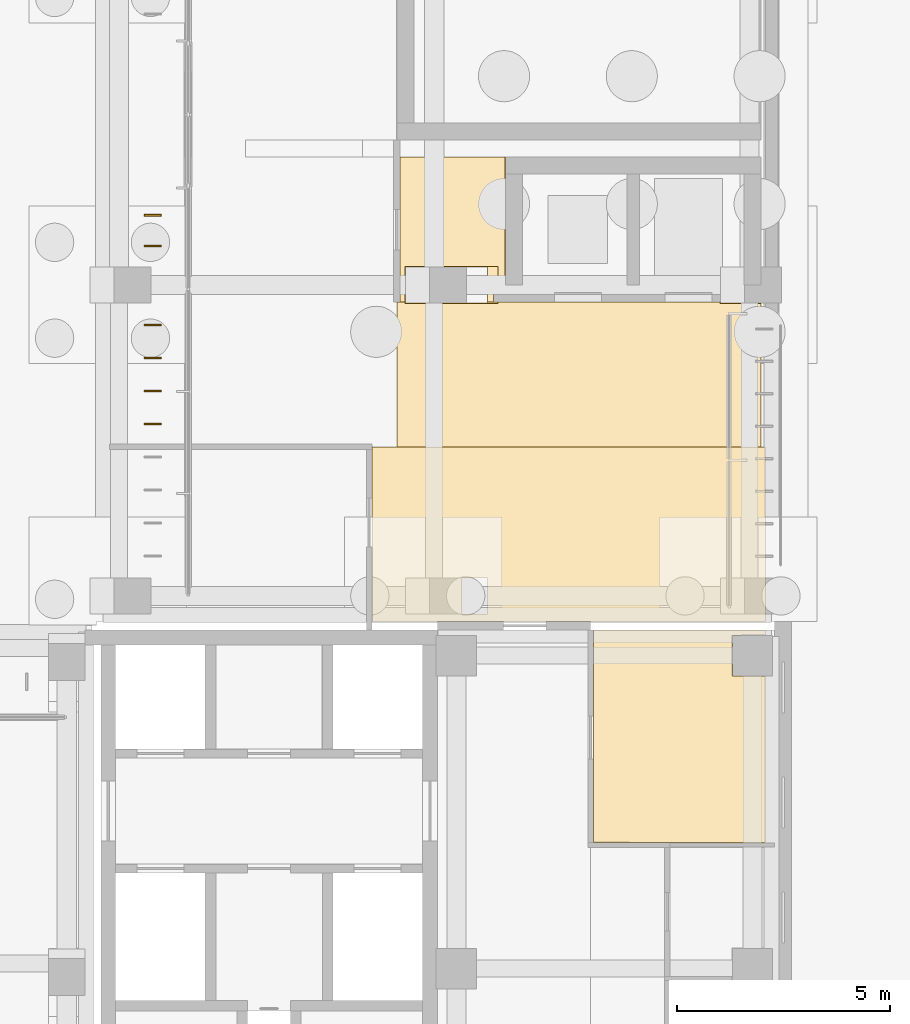
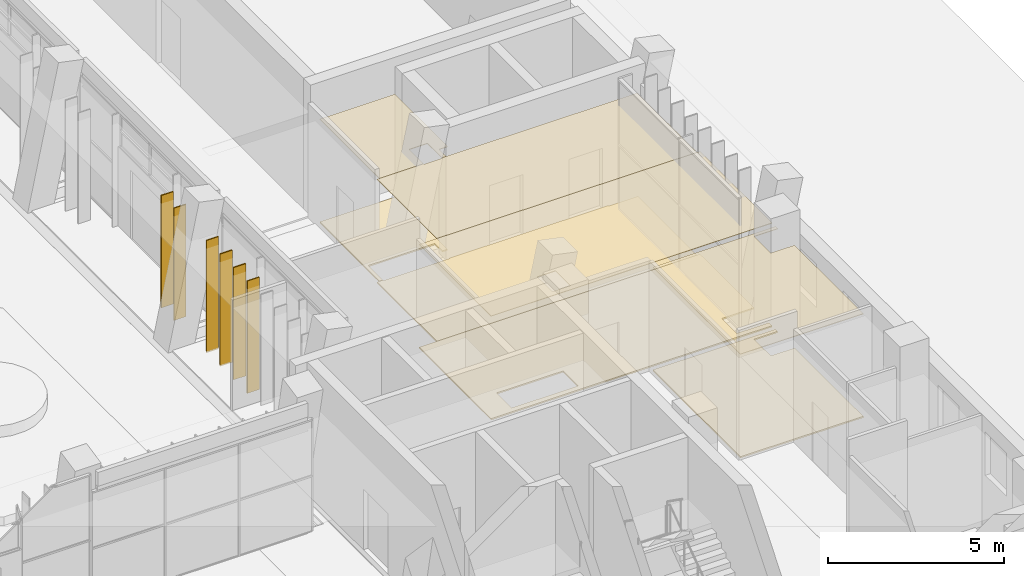
# One storey, part 139 of 144: 8 coverings, 6 shading devices.
"""IFC4 building model written with IfcOpenShell, lengths in metres."""

from ifc_helpers import new_model, si_unit, direction, frame, origin, origin_2d, place, context, subcontext, project, spatial, polyline, rectangle, outline, extrude, material, layer, layer_set, type_object, element, save


model = new_model("IFC4")

# Units and contexts
model_context = context("Model", 3, precision=1e-05, world=origin(), true_north=direction((0.0, 1.0)))
body_context = subcontext(model_context, "Body", "Model", "MODEL_VIEW")
ifc_project = project(units=[si_unit("LENGTHUNIT", "METRE"), si_unit("AREAUNIT", "SQUARE_METRE"), si_unit("VOLUMEUNIT", "CUBIC_METRE"), si_unit("PLANEANGLEUNIT", "RADIAN"), si_unit("MASSUNIT", "GRAM", prefix="KILO")], contexts=[model_context])

# Site, building, storey
site_placement = place(None, origin())
site = spatial("IfcSite", under=ifc_project, at=site_placement, CompositionType="ELEMENT")
building_placement = place(site_placement, origin())
building = spatial("IfcBuilding", under=site, at=building_placement, Name="Lantern Court Media Centre", CompositionType="ELEMENT")
storey_placement = place(building_placement, origin())
storey = spatial("IfcBuildingStorey", under=building, at=storey_placement, Name="L00", CompositionType="ELEMENT", Elevation=0.0)

# Coverings
ifc_material_1 = material(Name="Carpet")
ifc_layer_1 = layer(ifc_material_1, 0.050048828125)
ifc_layer_set_1 = layer_set([ifc_layer_1], Name="Carpet")
covering_type_1 = type_object("IfcCoveringType", Name="Carpet floor finish", PredefinedType="FLOORING", material=ifc_layer_set_1)
covering_1_placement = place(storey_placement, origin())
element("IfcCovering", 1, at=covering_1_placement, inside=storey, type_object=covering_type_1, Name="Media Shop floor finish", PredefinedType="FLOORING", context=body_context, shape_type="SweptSolid", body=[
    extrude(outline(polyline([(95.699951171875, 58.906982421875), (91.66748046875, 58.91943359375), (91.66748046875, 63.89990234375), (95.699951171875, 63.89990234375), (95.699951171875, 63.780029296875), (94.919921875, 63.77490234375), (94.921142578125, 62.82177734375), (95.699951171875, 62.820068359375), (95.699951171875, 58.906982421875)])), origin(), (0.0, 0.0, 1.0), 0.050048828125),
])
ifc_material_2 = material(Name="Ceramic tile")
ifc_layer_2 = layer(ifc_material_2, 0.050048828125)
ifc_layer_set_2 = layer_set([ifc_layer_2], Name="Ceramic tile")
covering_type_2 = type_object("IfcCoveringType", Name="Ceramic tile floor finish", PredefinedType="FLOORING", material=ifc_layer_set_2)
covering_2_placement = place(storey_placement, origin())
element("IfcCovering", 2, at=covering_2_placement, inside=storey, type_object=covering_type_2, Name="Accessible WC floor finish", PredefinedType="FLOORING", context=body_context, shape_type="SweptSolid", body=[
    extrude(outline(polyline([(89.594970703125, 75.0), (89.594970703125, 72.0048828125), (89.429931640625, 72.0048828125), (89.426025390625, 72.429931640625), (87.24072265625, 72.429931640625), (87.23681640625, 71.60009765625), (87.1298828125, 71.60009765625), (87.1298828125, 75.0), (89.594970703125, 75.0)])), origin(), (0.0, 0.0, 1.0), 0.050048828125),
])
ifc_material_3 = material(Name="Mineral fibre ceiling tile")
ifc_layer_3 = layer(ifc_material_3, 0.02001953125)
ifc_layer_set_3 = layer_set([ifc_layer_3], Name="Mineral fibre ceiling tile")
covering_type_3 = type_object("IfcCoveringType", Name="Suspended ceiling tile", PredefinedType="CEILING", material=ifc_layer_set_3)
covering_3_placement = place(storey_placement, frame((0.0, 0.0, 3.60009765625)))
element("IfcCovering", 3, at=covering_3_placement, inside=storey, type_object=covering_type_3, Name="End Lobby ceiling", PredefinedType="CEILING", context=body_context, shape_type="SweptSolid", body=[
    extrude(outline(polyline([(86.462890625, 64.10009765625), (86.462890625, 68.199951171875), (95.699951171875, 68.199951171875), (95.699951171875, 64.10009765625), (86.462890625, 64.10009765625)]), holes=[polyline([(89.177001953125, 64.2744140625), (89.177490234375, 65.125244140625), (88.57470703125, 65.12548828125), (88.574462890625, 64.274658203125), (89.177001953125, 64.2744140625)])]), origin(), (0.0, 0.0, 1.0), 0.02001953125),
])
covering_4_placement = place(storey_placement, frame((0.0, 0.0, 3.60009765625)))
element("IfcCovering", 4, at=covering_4_placement, inside=storey, type_object=covering_type_3, Name="Lift Lobby ceiling", PredefinedType="CEILING", context=body_context, shape_type="SweptSolid", body=[
    extrude(outline(polyline([(95.60009765625, 68.199951171875), (87.050048828125, 68.199951171875), (87.050048828125, 71.599609375), (88.574462890625, 71.60009765625), (88.574951171875, 71.574462890625), (89.177001953125, 71.574462890625), (89.177490234375, 71.60009765625), (95.60009765625, 71.599609375), (95.60009765625, 68.199951171875)])), origin(), (0.0, 0.0, 1.0), 0.02001953125),
])
covering_5_placement = place(storey_placement, frame((0.0, 0.0, 3.60009765625)))
element("IfcCovering", 5, at=covering_5_placement, inside=storey, type_object=covering_type_3, Name="Accessible WC ceiling", PredefinedType="CEILING", context=body_context, shape_type="SweptSolid", body=[
    extrude(outline(polyline([(89.599609375, 75.0), (89.599609375, 72.00048828125), (89.316162109375, 72.000244140625), (89.316162109375, 71.60009765625), (89.177490234375, 71.60009765625), (89.177001953125, 72.425537109375), (88.574462890625, 72.42529296875), (88.574462890625, 71.60009765625), (87.12548828125, 71.60009765625), (87.12548828125, 75.0), (89.599609375, 75.0)])), origin(), (0.0, 0.0, 1.0), 0.02001953125),
])
covering_6_placement = place(storey_placement, frame((0.0, 0.0, 3.60009765625)))
element("IfcCovering", 6, at=covering_6_placement, inside=storey, type_object=covering_type_3, Name="Media Shop ceiling", PredefinedType="CEILING", context=body_context, shape_type="SweptSolid", body=[
    extrude(outline(polyline([(95.699951171875, 58.902587890625), (91.6630859375, 58.9150390625), (91.6630859375, 63.89990234375), (95.699951171875, 63.89990234375), (95.699951171875, 63.775390625), (94.924560546875, 63.77490234375), (94.924560546875, 62.82470703125), (95.699951171875, 62.824462890625), (95.699951171875, 58.902587890625)])), origin(), (0.0, 0.0, 1.0), 0.02001953125),
])
ifc_material_4 = material(Name="Terrazzo")
ifc_layer_4 = layer(ifc_material_4, 0.050048828125)
ifc_layer_set_4 = layer_set([ifc_layer_4], Name="Terrazzo")
covering_type_4 = type_object("IfcCoveringType", Name="Terrazzo floor finish", PredefinedType="FLOORING", material=ifc_layer_set_4)
covering_7_placement = place(storey_placement, origin())
element("IfcCovering", 7, at=covering_7_placement, inside=storey, type_object=covering_type_4, Name="End Lobby floor finish", PredefinedType="FLOORING", context=body_context, shape_type="SweptSolid", body=[
    extrude(outline(polyline([(86.467529296875, 64.10009765625), (86.467529296875, 68.199951171875), (95.699951171875, 68.199951171875), (95.699951171875, 65.1298828125), (94.63671875, 65.125), (94.63818359375, 64.271484375), (95.699951171875, 64.27001953125), (95.699951171875, 64.10009765625), (86.467529296875, 64.10009765625)]), holes=[polyline([(87.23681640625, 64.27490234375), (89.427001953125, 64.270263671875), (89.4296875, 65.126953125), (87.23974609375, 65.129638671875), (87.23681640625, 64.27490234375)])]), origin(), (0.0, 0.0, 1.0), 0.050048828125),
])
covering_8_placement = place(storey_placement, origin())
element("IfcCovering", 8, at=covering_8_placement, inside=storey, type_object=covering_type_4, Name="Lift Lobby floor finish", PredefinedType="FLOORING", context=body_context, shape_type="SweptSolid", body=[
    extrude(outline(polyline([(95.60009765625, 68.199951171875), (87.050048828125, 68.199951171875), (87.050048828125, 71.594970703125), (87.23681640625, 71.60009765625), (87.24169921875, 71.570068359375), (89.425048828125, 71.570068359375), (89.429931640625, 71.594970703125), (94.63671875, 71.594970703125), (94.6416015625, 71.570068359375), (95.60009765625, 71.570068359375), (95.60009765625, 68.199951171875)])), origin(), (0.0, 0.0, 1.0), 0.050048828125),
])

# Shading devices
ifc_material_5 = material(Name="Bronze anodised aluminium louvre", Category="aluminium")
ifc_layer_5 = layer(ifc_material_5, 0.0400390625)
ifc_layer_set_5 = layer_set([ifc_layer_5], Name="Bronze anodised aluminium louvre")
shading_device_type = type_object("IfcShadingDeviceType", Name="Vertical louvre 40x400 under beam", PredefinedType="USERDEFINED", material=ifc_layer_set_5)
for number, where, z_axis, x_axis, name in (
    (9, (81.320068359375, 68.737548828125, 0.0), (0.0, 0.0, 1.0), (1.0, 0.0, 0.0), "Vertical louvre E inner L00"),
    (10, (81.320068359375, 69.512451171875, 0.0), (0.0, 0.0, 1.0), (1.0, 0.0, 0.0), "Vertical louvre E inner L00"),
    (11, (81.320068359375, 70.28759765625, 0.0), (0.0, 0.0, 1.0), (1.0, 0.0, 0.0), "Vertical louvre E inner L00"),
    (12, (81.320068359375, 71.0625, 0.0), (0.0, 0.0, 1.0), (1.0, 0.0, 0.0), "Vertical louvre E inner L00"),
    (13, (81.320068359375, 72.91259765625, 0.0), (0.0, 0.0, 1.0), (1.0, 0.0, 0.0), "Vertical louvre E inner L00"),
    (14, (81.320068359375, 73.637451171875, 0.0), (0.0, 0.0, 1.0), (1.0, 0.0, 0.0), "Vertical louvre E inner L00"),
):
    element("IfcShadingDevice", number, at=place(storey_placement, frame(where, z_axis=z_axis, x_axis=x_axis)), inside=storey, type_object=shading_device_type, Name=name, ObjectType="VERTICAL LOUVRE", PredefinedType="USERDEFINED", context=body_context, shape_type="SweptSolid", body=[
        extrude(rectangle(XDim=0.39990234375, YDim=0.0400390625, at=origin_2d()), origin(), (0.0, 0.0, 1.0), 3.89990234375),
    ])

save(model, "model.ifc")
